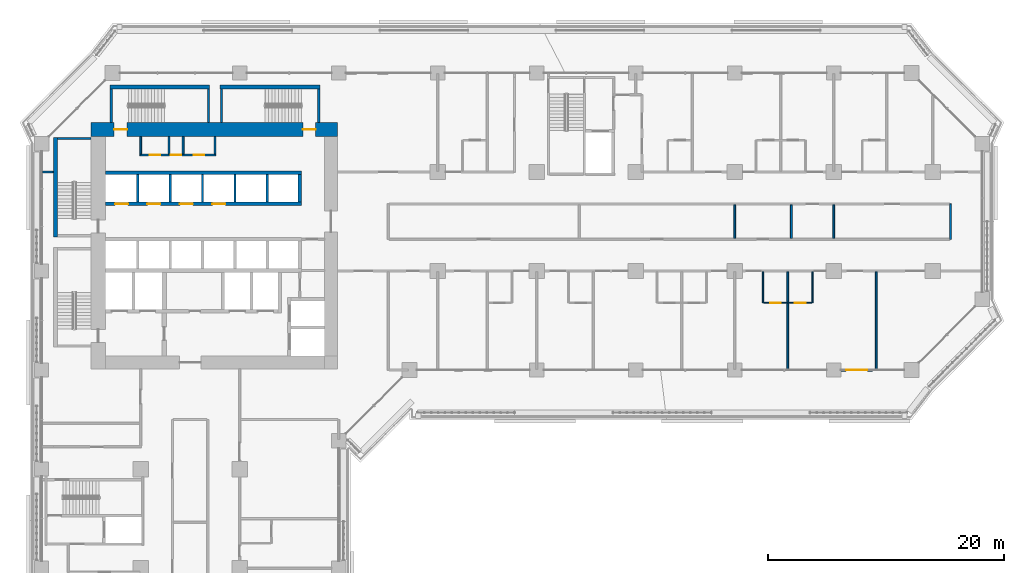
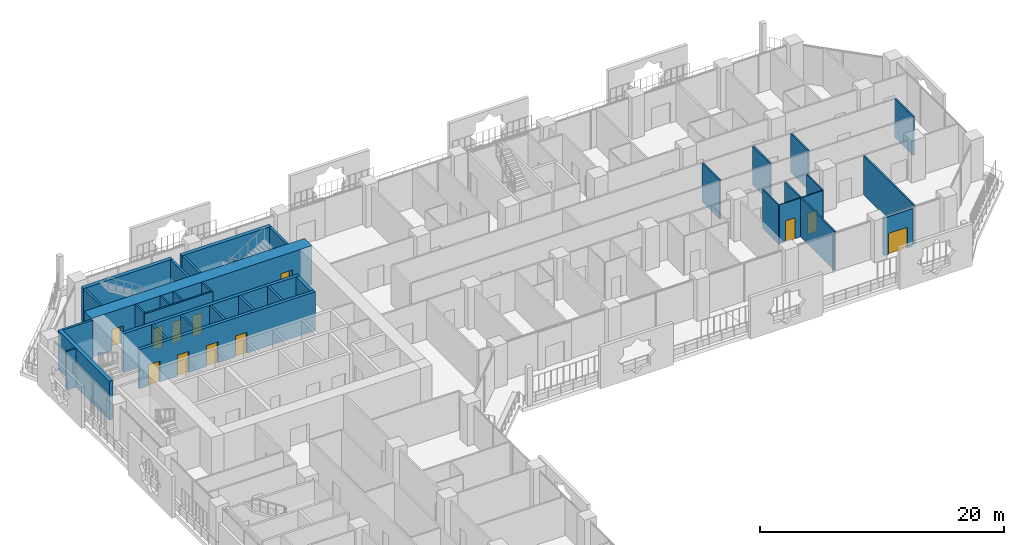
# One storey, part 17 of 28: 33 walls, 12 doors, 12 openings.
"""IFC4 building model written with IfcOpenShell, lengths in metres."""

from ifc_helpers import new_model, si_unit, direction, frame, frame_2d, origin, place, context, subcontext, project, spatial, rectangle, extrude, material, layer, layer_set, type_object, element, fill, save


model = new_model("IFC4")

# Units and contexts
model_context = context("Model", 3, precision=1e-05, world=origin(), true_north=direction((0.0, 1.0)))
body_context = subcontext(model_context, "Body", "Model", "MODEL_VIEW")
ifc_project = project(units=[si_unit("LENGTHUNIT", "METRE"), si_unit("AREAUNIT", "SQUARE_METRE"), si_unit("VOLUMEUNIT", "CUBIC_METRE"), si_unit("PLANEANGLEUNIT", "RADIAN"), si_unit("MASSUNIT", "GRAM", prefix="KILO")], contexts=[model_context])

# Site, building, storey
site_placement = place(None, origin())
site = spatial("IfcSite", under=ifc_project, at=site_placement, CompositionType="ELEMENT")
building_placement = place(site_placement, origin())
building = spatial("IfcBuilding", under=site, at=building_placement, Name="Kawkab Arch Medical Tower", CompositionType="ELEMENT")
storey_placement = place(building_placement, frame((0.0, 0.0, 77.0)))
storey = spatial("IfcBuildingStorey", under=building, at=storey_placement, Name="L17", CompositionType="ELEMENT", Elevation=77.0)

# Wall, openings, doors
ifc_material_1 = material(Name="Concrete C60/75", Category="concrete")
ifc_layer_1 = layer(ifc_material_1, 1.199951171875)
ifc_layer_set_1 = layer_set([ifc_layer_1], Name="Concrete C60/75")
wall_type_1 = type_object("IfcWallType", Name="Core ring wall 1200 C60/75", PredefinedType="SHEAR", material=ifc_layer_set_1)
wall_1_placement = place(storey_placement, frame((4.199951171875, -4.800048828125, 0.0), z_axis=(0.0, 0.0, 1.0), x_axis=(1.0, 0.0, 0.0)))
wall_1 = element("IfcWall", 1, at=wall_1_placement, inside=storey, type_object=wall_type_1, Name="L17 core wall", PredefinedType="SHEAR", context=body_context, shape_type="SweptSolid", body=[
    extrude(rectangle(XDim=20.900146484375, YDim=1.199951171875, at=frame_2d((10.4501953125, 0.0))), origin(), (0.0, 0.0, 1.0), 3.89990234375),
])
opening_1_placement = place(wall_1_placement, frame((1.949951171875, 0.0, 0.0)))
opening_1 = element("IfcOpeningElement", 2, at=opening_1_placement, cuts=wall_1, Name="Opening SD", PredefinedType="OPENING", context=body_context, shape_type="SweptSolid", body=[
    extrude(rectangle(XDim=1.10009765625, YDim=2.10009765625, at=frame_2d((0.550048828125, 1.050048828125))), frame((0.0, 0.60986328125, 0.0), z_axis=(0.0, -1.0, 0.0), x_axis=(1.0, 0.0, 0.0)), (0.0, 0.0, 1.0), 1.219970703125),
])
opening_2_placement = place(wall_1_placement, frame((17.949951171875, 0.0, 0.0)))
opening_2 = element("IfcOpeningElement", 3, at=opening_2_placement, cuts=wall_1, Name="Opening SD", PredefinedType="OPENING", context=body_context, shape_type="SweptSolid", body=[
    extrude(rectangle(XDim=1.10009765625, YDim=2.10009765625, at=frame_2d((0.550048828125, 1.050048828125))), frame((0.0, 0.60986328125, 0.0), z_axis=(0.0, -1.0, 0.0), x_axis=(1.0, 0.0, 0.0)), (0.0, 0.0, 1.0), 1.219970703125),
])
ifc_material_2 = material(Name="Hollow metal fire door leaf")
door_type_1 = type_object("IfcDoorType", Name="Exit stair door 1100", OperationType="SINGLE_SWING_LEFT", PredefinedType="DOOR", material=ifc_material_2)
door_1_placement = place(opening_1_placement, origin())
door_1 = element("IfcDoor", 4, at=door_1_placement, inside=storey, type_object=door_type_1, Name="L17 Exit stair ST3 door", OperationType="SINGLE_SWING_LEFT", OverallHeight=2.10009765625, OverallWidth=1.10009765625, PredefinedType="DOOR", context=body_context, shape_type="SweptSolid", body=[
    extrude(rectangle(XDim=1.10009765625, YDim=2.10009765625, at=frame_2d((0.550048828125, 1.050048828125))), frame((0.0, 0.02490234375, 0.0), z_axis=(0.0, -1.0, 0.0), x_axis=(1.0, 0.0, 0.0)), (0.0, 0.0, 1.0), 0.050048828125),
])
fill(opening_1, door_1)
door_2_placement = place(opening_2_placement, origin())
door_2 = element("IfcDoor", 5, at=door_2_placement, inside=storey, type_object=door_type_1, Name="L17 Exit stair ST4 door", OperationType="SINGLE_SWING_LEFT", OverallHeight=2.10009765625, OverallWidth=1.10009765625, PredefinedType="DOOR", context=body_context, shape_type="SweptSolid", body=[
    extrude(rectangle(XDim=1.10009765625, YDim=2.10009765625, at=frame_2d((0.550048828125, 1.050048828125))), frame((0.0, 0.02490234375, 0.0), z_axis=(0.0, -1.0, 0.0), x_axis=(1.0, 0.0, 0.0)), (0.0, 0.0, 1.0), 0.050048828125),
])
fill(opening_2, door_2)

ifc_material_3 = material(Name="Gypsum board on steel studs", Category="steel")
ifc_layer_2 = layer(ifc_material_3, 0.14990234375)
ifc_layer_set_2 = layer_set([ifc_layer_2], Name="Gypsum board on steel studs")
wall_type_2 = type_object("IfcWallType", Name="Core room partition 150", PredefinedType="PARTITIONING", material=ifc_layer_set_2)
wall_2_placement = place(storey_placement, frame((8.324951171875, -6.949951171875, 0.0), z_axis=(0.0, 0.0, 1.0), x_axis=(1.0, 0.0, 0.0)))
wall_2 = element("IfcWall", 6, at=wall_2_placement, inside=storey, type_object=wall_type_2, Name="L17 core room partition", PredefinedType="PARTITIONING", context=body_context, shape_type="SweptSolid", body=[
    extrude(rectangle(XDim=6.449951171875, YDim=0.14990234375, at=frame_2d((3.22509765625, 0.0))), origin(), (0.0, 0.0, 1.0), 3.89990234375),
])
opening_3_placement = place(wall_2_placement, frame((0.824951171875, 0.0, 0.0)))
opening_3 = element("IfcOpeningElement", 7, at=opening_3_placement, cuts=wall_2, Name="Opening RD", PredefinedType="OPENING", context=body_context, shape_type="SweptSolid", body=[
    extrude(rectangle(XDim=0.89990234375, YDim=2.10009765625, at=frame_2d((0.449951171875, 1.050048828125))), frame((0.0, 0.0849609375, 0.0), z_axis=(0.0, -1.0, 0.0), x_axis=(1.0, 0.0, 0.0)), (0.0, 0.0, 1.0), 0.169921875),
])
opening_4_placement = place(wall_2_placement, frame((2.625, 0.0, 0.0)))
opening_4 = element("IfcOpeningElement", 8, at=opening_4_placement, cuts=wall_2, Name="Opening RD", PredefinedType="OPENING", context=body_context, shape_type="SweptSolid", body=[
    extrude(rectangle(XDim=0.89990234375, YDim=2.10009765625, at=frame_2d((0.449951171875, 1.050048828125))), frame((0.0, 0.0849609375, 0.0), z_axis=(0.0, -1.0, 0.0), x_axis=(1.0, 0.0, 0.0)), (0.0, 0.0, 1.0), 0.169921875),
])
opening_5_placement = place(wall_2_placement, frame((4.574951171875, 0.0, 0.0)))
opening_5 = element("IfcOpeningElement", 9, at=opening_5_placement, cuts=wall_2, Name="Opening RD", PredefinedType="OPENING", context=body_context, shape_type="SweptSolid", body=[
    extrude(rectangle(XDim=0.89990234375, YDim=2.10009765625, at=frame_2d((0.449951171875, 1.050048828125))), frame((0.0, 0.0849609375, 0.0), z_axis=(0.0, -1.0, 0.0), x_axis=(1.0, 0.0, 0.0)), (0.0, 0.0, 1.0), 0.169921875),
])
ifc_material_4 = material(Name="Hollow metal fire door leaf")
door_type_2 = type_object("IfcDoorType", Name="Core room door 900", OperationType="SINGLE_SWING_LEFT", PredefinedType="DOOR", material=ifc_material_4)
door_3_placement = place(opening_3_placement, origin())
door_3 = element("IfcDoor", 10, at=door_3_placement, inside=storey, type_object=door_type_2, Name="L17 Housekeeping store door", OperationType="SINGLE_SWING_LEFT", OverallHeight=2.10009765625, OverallWidth=0.89990234375, PredefinedType="DOOR", context=body_context, shape_type="SweptSolid", body=[
    extrude(rectangle(XDim=0.89990234375, YDim=2.10009765625, at=frame_2d((0.449951171875, 1.050048828125))), frame((0.0, 0.02490234375, 0.0), z_axis=(0.0, -1.0, 0.0), x_axis=(1.0, 0.0, 0.0)), (0.0, 0.0, 1.0), 0.050048828125),
])
fill(opening_3, door_3)
door_4_placement = place(opening_4_placement, origin())
door_4 = element("IfcDoor", 11, at=door_4_placement, inside=storey, type_object=door_type_2, Name="L17 Electrical riser room door", OperationType="SINGLE_SWING_LEFT", OverallHeight=2.10009765625, OverallWidth=0.89990234375, PredefinedType="DOOR", context=body_context, shape_type="SweptSolid", body=[
    extrude(rectangle(XDim=0.89990234375, YDim=2.10009765625, at=frame_2d((0.449951171875, 1.050048828125))), frame((0.0, 0.02490234375, 0.0), z_axis=(0.0, -1.0, 0.0), x_axis=(1.0, 0.0, 0.0)), (0.0, 0.0, 1.0), 0.050048828125),
])
fill(opening_4, door_4)
door_5_placement = place(opening_5_placement, origin())
door_5 = element("IfcDoor", 12, at=door_5_placement, inside=storey, type_object=door_type_2, Name="L17 Equipment store door", OperationType="SINGLE_SWING_LEFT", OverallHeight=2.10009765625, OverallWidth=0.89990234375, PredefinedType="DOOR", context=body_context, shape_type="SweptSolid", body=[
    extrude(rectangle(XDim=0.89990234375, YDim=2.10009765625, at=frame_2d((0.449951171875, 1.050048828125))), frame((0.0, 0.02490234375, 0.0), z_axis=(0.0, -1.0, 0.0), x_axis=(1.0, 0.0, 0.0)), (0.0, 0.0, 1.0), 0.050048828125),
])
fill(opening_5, door_5)

# Walls
for number, where, z_axis, x_axis, name in (
    (13, (8.39990234375, -6.875, 0.0), (0.0, 0.0, 1.0), (0.0, 1.0, 0.0), "L17 core room partition"),
    (14, (10.800048828125, -6.875, 0.0), (0.0, 0.0, 1.0), (0.0, 1.0, 0.0), "L17 core room partition"),
    (15, (12.0, -6.875, 0.0), (0.0, 0.0, 1.0), (0.0, 1.0, 0.0), "L17 core room partition"),
    (16, (14.699951171875, -6.875, 0.0), (0.0, 0.0, 1.0), (0.0, 1.0, 0.0), "L17 core room partition"),
):
    element("IfcWall", number, at=place(storey_placement, frame(where, z_axis=z_axis, x_axis=x_axis)), inside=storey, type_object=wall_type_2, Name=name, PredefinedType="PARTITIONING", context=body_context, shape_type="SweptSolid", body=[
        extrude(rectangle(XDim=1.47509765625, YDim=0.14990234375, at=frame_2d((0.737548828125, 0.0))), origin(), (0.0, 0.0, 1.0), 3.89990234375),
    ])
ifc_material_5 = material(Name="Concrete C60/75", Category="concrete")
ifc_layer_3 = layer(ifc_material_5, 0.300048828125)
ifc_layer_set_3 = layer_set([ifc_layer_3], Name="Concrete C60/75")
wall_type_3 = type_object("IfcWallType", Name="Core shear wall 300 C60/75", PredefinedType="SHEAR", material=ifc_layer_set_3)
wall_3_placement = place(storey_placement, frame((5.39990234375, -8.449951171875, 0.0), z_axis=(0.0, 0.0, 1.0), x_axis=(1.0, 0.0, 0.0)))
element("IfcWall", 17, at=wall_3_placement, inside=storey, type_object=wall_type_3, Name="L17 core shear wall", PredefinedType="SHEAR", context=body_context, shape_type="SweptSolid", body=[
    extrude(rectangle(XDim=16.650146484375, YDim=0.300048828125, at=frame_2d((8.3251953125, 0.0))), origin(), (0.0, 0.0, 1.0), 3.89990234375),
])

# Wall, openings, doors
wall_4_placement = place(storey_placement, frame((5.39990234375, -11.10009765625, 0.0), z_axis=(0.0, 0.0, 1.0), x_axis=(1.0, 0.0, 0.0)))
wall_4 = element("IfcWall", 18, at=wall_4_placement, inside=storey, type_object=wall_type_3, Name="L17 core shear wall", PredefinedType="SHEAR", context=body_context, shape_type="SweptSolid", body=[
    extrude(rectangle(XDim=16.650146484375, YDim=0.300048828125, at=frame_2d((8.3251953125, 0.0))), origin(), (0.0, 0.0, 1.0), 3.89990234375),
])
opening_6_placement = place(wall_4_placement, frame((0.824951171875, 0.0, 0.0)))
opening_6 = element("IfcOpeningElement", 19, at=opening_6_placement, cuts=wall_4, Name="Opening LD1", PredefinedType="OPENING", context=body_context, shape_type="SweptSolid", body=[
    extrude(rectangle(XDim=1.10009765625, YDim=2.10009765625, at=frame_2d((0.550048828125, 1.050048828125))), frame((0.0, 0.159912109375, 0.0), z_axis=(0.0, -1.0, 0.0), x_axis=(1.0, 0.0, 0.0)), (0.0, 0.0, 1.0), 0.320068359375),
])
opening_7_placement = place(wall_4_placement, frame((3.574951171875, 0.0, 0.0)))
opening_7 = element("IfcOpeningElement", 20, at=opening_7_placement, cuts=wall_4, Name="Opening LD1", PredefinedType="OPENING", context=body_context, shape_type="SweptSolid", body=[
    extrude(rectangle(XDim=1.10009765625, YDim=2.10009765625, at=frame_2d((0.550048828125, 1.050048828125))), frame((0.0, 0.159912109375, 0.0), z_axis=(0.0, -1.0, 0.0), x_axis=(1.0, 0.0, 0.0)), (0.0, 0.0, 1.0), 0.320068359375),
])
opening_8_placement = place(wall_4_placement, frame((6.324951171875, 0.0, 0.0)))
opening_8 = element("IfcOpeningElement", 21, at=opening_8_placement, cuts=wall_4, Name="Opening LD1", PredefinedType="OPENING", context=body_context, shape_type="SweptSolid", body=[
    extrude(rectangle(XDim=1.10009765625, YDim=2.10009765625, at=frame_2d((0.550048828125, 1.050048828125))), frame((0.0, 0.159912109375, 0.0), z_axis=(0.0, -1.0, 0.0), x_axis=(1.0, 0.0, 0.0)), (0.0, 0.0, 1.0), 0.320068359375),
])
opening_9_placement = place(wall_4_placement, frame((9.074951171875, 0.0, 0.0)))
opening_9 = element("IfcOpeningElement", 22, at=opening_9_placement, cuts=wall_4, Name="Opening LD1", PredefinedType="OPENING", context=body_context, shape_type="SweptSolid", body=[
    extrude(rectangle(XDim=1.10009765625, YDim=2.10009765625, at=frame_2d((0.550048828125, 1.050048828125))), frame((0.0, 0.159912109375, 0.0), z_axis=(0.0, -1.0, 0.0), x_axis=(1.0, 0.0, 0.0)), (0.0, 0.0, 1.0), 0.320068359375),
])
ifc_material_6 = material(Name="Stainless steel lift door leaf", Category="steel")
door_type_3 = type_object("IfcDoorType", Name="Lift landing door 1100", OperationType="DOUBLE_DOOR_SLIDING", PredefinedType="DOOR", material=ifc_material_6)
door_6_placement = place(opening_6_placement, origin())
door_6 = element("IfcDoor", 23, at=door_6_placement, inside=storey, type_object=door_type_3, Name="L17 Lift landing door LP1", OperationType="DOUBLE_DOOR_SLIDING", OverallHeight=2.10009765625, OverallWidth=1.10009765625, PredefinedType="DOOR", context=body_context, shape_type="SweptSolid", body=[
    extrude(rectangle(XDim=1.10009765625, YDim=2.10009765625, at=frame_2d((0.550048828125, 1.050048828125))), frame((0.0, 0.02490234375, 0.0), z_axis=(0.0, -1.0, 0.0), x_axis=(1.0, 0.0, 0.0)), (0.0, 0.0, 1.0), 0.050048828125),
])
fill(opening_6, door_6)
door_7_placement = place(opening_7_placement, origin())
door_7 = element("IfcDoor", 24, at=door_7_placement, inside=storey, type_object=door_type_3, Name="L17 Lift landing door LP2", OperationType="DOUBLE_DOOR_SLIDING", OverallHeight=2.10009765625, OverallWidth=1.10009765625, PredefinedType="DOOR", context=body_context, shape_type="SweptSolid", body=[
    extrude(rectangle(XDim=1.10009765625, YDim=2.10009765625, at=frame_2d((0.550048828125, 1.050048828125))), frame((0.0, 0.02490234375, 0.0), z_axis=(0.0, -1.0, 0.0), x_axis=(1.0, 0.0, 0.0)), (0.0, 0.0, 1.0), 0.050048828125),
])
fill(opening_7, door_7)
door_8_placement = place(opening_8_placement, origin())
door_8 = element("IfcDoor", 25, at=door_8_placement, inside=storey, type_object=door_type_3, Name="L17 Lift landing door LP3", OperationType="DOUBLE_DOOR_SLIDING", OverallHeight=2.10009765625, OverallWidth=1.10009765625, PredefinedType="DOOR", context=body_context, shape_type="SweptSolid", body=[
    extrude(rectangle(XDim=1.10009765625, YDim=2.10009765625, at=frame_2d((0.550048828125, 1.050048828125))), frame((0.0, 0.02490234375, 0.0), z_axis=(0.0, -1.0, 0.0), x_axis=(1.0, 0.0, 0.0)), (0.0, 0.0, 1.0), 0.050048828125),
])
fill(opening_8, door_8)
door_9_placement = place(opening_9_placement, origin())
door_9 = element("IfcDoor", 26, at=door_9_placement, inside=storey, type_object=door_type_3, Name="L17 Lift landing door LP4", OperationType="DOUBLE_DOOR_SLIDING", OverallHeight=2.10009765625, OverallWidth=1.10009765625, PredefinedType="DOOR", context=body_context, shape_type="SweptSolid", body=[
    extrude(rectangle(XDim=1.10009765625, YDim=2.10009765625, at=frame_2d((0.550048828125, 1.050048828125))), frame((0.0, 0.02490234375, 0.0), z_axis=(0.0, -1.0, 0.0), x_axis=(1.0, 0.0, 0.0)), (0.0, 0.0, 1.0), 0.050048828125),
])
fill(opening_9, door_9)

# Wall
wall_5_placement = place(storey_placement, frame((21.89990234375, -10.949951171875, 0.0), z_axis=(0.0, 0.0, 1.0), x_axis=(0.0, 1.0, 0.0)))
element("IfcWall", 27, at=wall_5_placement, inside=storey, type_object=wall_type_3, Name="L17 core shear wall", PredefinedType="SHEAR", context=body_context, shape_type="SweptSolid", body=[
    extrude(rectangle(XDim=2.349853515625, YDim=0.300048828125, at=frame_2d((1.1748046875, 0.0))), origin(), (0.0, 0.0, 1.0), 3.89990234375),
])

# Wall, opening, door
ifc_material_7 = material(Name="Bronze clad insulated wall panel")
ifc_layer_4 = layer(ifc_material_7, 0.25)
ifc_layer_set_4 = layer_set([ifc_layer_4], Name="Bronze clad insulated wall panel")
wall_type_4 = type_object("IfcWallType", Name="External wall bay 250", PredefinedType="SOLIDWALL", material=ifc_layer_set_4)
wall_6_placement = place(storey_placement, frame((67.800048828125, -25.199951171875, 0.0), z_axis=(0.0, 0.0, 1.0), x_axis=(1.0, 0.0, 0.0)))
wall_6 = element("IfcWall", 28, at=wall_6_placement, inside=storey, type_object=wall_type_4, Name="External wall bay L17.R07.5.1", PredefinedType="SOLIDWALL", context=body_context, shape_type="SweptSolid", body=[
    extrude(rectangle(XDim=2.6875, YDim=0.25, at=frame_2d((1.34375, 0.0))), origin(), (0.0, 0.0, 1.0), 3.780029296875),
])
opening_10_placement = place(wall_6_placement, frame((0.443603515625, 0.0, 0.0)))
opening_10 = element("IfcOpeningElement", 29, at=opening_10_placement, cuts=wall_6, Name="Opening W12-702", PredefinedType="OPENING", context=body_context, shape_type="SweptSolid", body=[
    extrude(rectangle(XDim=1.800048828125, YDim=2.10009765625, at=frame_2d((0.89990234375, 1.050048828125))), frame((0.0, 0.135009765625, 0.0), z_axis=(0.0, -1.0, 0.0), x_axis=(1.0, 0.0, 0.0)), (0.0, 0.0, 1.0), 0.27001953125),
])
ifc_material_8 = material(Name="Bronze anodised aluminium door with tinted glass", Category="aluminium")
door_type_4 = type_object("IfcDoorType", Name="Double external door 1800 x 2100", OperationType="DOUBLE_DOOR_SINGLE_SWING", PredefinedType="DOOR", material=ifc_material_8)
door_10_placement = place(opening_10_placement, origin())
door_10 = element("IfcDoor", 30, at=door_10_placement, inside=storey, type_object=door_type_4, Name="External door L17.R07.5.1", OperationType="DOUBLE_DOOR_SINGLE_SWING", OverallHeight=2.10009765625, OverallWidth=1.800048828125, PredefinedType="DOOR", context=body_context, shape_type="SweptSolid", body=[
    extrude(rectangle(XDim=1.800048828125, YDim=2.10009765625, at=frame_2d((0.89990234375, 1.050048828125))), frame((0.0, 0.02490234375, 0.0), z_axis=(0.0, -1.0, 0.0), x_axis=(1.0, 0.0, 0.0)), (0.0, 0.0, 1.0), 0.050048828125),
])
fill(opening_10, door_10)

# Walls
ifc_material_9 = material(Name="Dense concrete blockwork", Category="masonry")
ifc_layer_5 = layer(ifc_material_9, 0.199951171875)
ifc_layer_set_5 = layer_set([ifc_layer_5], Name="Dense concrete blockwork")
wall_type_5 = type_object("IfcWallType", Name="Lift shaft partition 200", PredefinedType="PARTITIONING", material=ifc_layer_set_5)
for number, where, z_axis, x_axis, name in (
    (31, (8.14990234375, -10.949951171875, 0.0), (0.0, 0.0, 1.0), (0.0, 1.0, 0.0), "L17 lift shaft partition"),
    (32, (10.89990234375, -10.949951171875, 0.0), (0.0, 0.0, 1.0), (0.0, 1.0, 0.0), "L17 lift shaft partition"),
    (33, (13.64990234375, -10.949951171875, 0.0), (0.0, 0.0, 1.0), (0.0, 1.0, 0.0), "L17 lift shaft partition"),
    (34, (16.39990234375, -10.949951171875, 0.0), (0.0, 0.0, 1.0), (0.0, 1.0, 0.0), "L17 lift shaft partition"),
    (35, (19.14990234375, -10.949951171875, 0.0), (0.0, 0.0, 1.0), (0.0, 1.0, 0.0), "L17 lift shaft partition"),
):
    element("IfcWall", number, at=place(storey_placement, frame(where, z_axis=z_axis, x_axis=x_axis)), inside=storey, type_object=wall_type_5, Name=name, PredefinedType="PARTITIONING", context=body_context, shape_type="SweptSolid", body=[
        extrude(rectangle(XDim=2.349853515625, YDim=0.199951171875, at=frame_2d((1.1748046875, 0.0))), origin(), (0.0, 0.0, 1.0), 3.89990234375),
    ])

# Wall, openings, doors
ifc_material_10 = material(Name="Gypsum board partition on steel studs", Category="steel")
ifc_layer_6 = layer(ifc_material_10, 0.10009765625)
ifc_layer_set_6 = layer_set([ifc_layer_6], Name="Gypsum board partition on steel studs")
wall_type_6 = type_object("IfcWallType", Name="Partition 100", PredefinedType="PARTITIONING", material=ifc_layer_set_6)
wall_7_placement = place(storey_placement, frame((61.25, -19.5, 0.0), z_axis=(0.0, 0.0, 1.0), x_axis=(1.0, 0.0, 0.0)))
wall_7 = element("IfcWall", 36, at=wall_7_placement, inside=storey, type_object=wall_type_6, Name="Partition 100 w014", PredefinedType="PARTITIONING", context=body_context, shape_type="SweptSolid", body=[
    extrude(rectangle(XDim=4.097900390625, YDim=0.10009765625, at=frame_2d((2.048828125, 0.0))), origin(), (0.0, 0.0, 1.0), 3.89990234375),
])
opening_11_placement = place(wall_7_placement, frame((0.550048828125, 0.0, 0.0)))
opening_11 = element("IfcOpeningElement", 37, at=opening_11_placement, cuts=wall_7, Name="Opening W12-015", PredefinedType="OPENING", context=body_context, shape_type="SweptSolid", body=[
    extrude(rectangle(XDim=0.89990234375, YDim=2.10009765625, at=frame_2d((0.449951171875, 1.050048828125))), frame((0.0, 0.06005859375, 0.0), z_axis=(0.0, -1.0, 0.0), x_axis=(1.0, 0.0, 0.0)), (0.0, 0.0, 1.0), 0.1201171875),
])
opening_12_placement = place(wall_7_placement, frame((2.64892578125, 0.0, 0.0)))
opening_12 = element("IfcOpeningElement", 38, at=opening_12_placement, cuts=wall_7, Name="Opening W12-016", PredefinedType="OPENING", context=body_context, shape_type="SweptSolid", body=[
    extrude(rectangle(XDim=0.89990234375, YDim=2.10009765625, at=frame_2d((0.449951171875, 1.050048828125))), frame((0.0, 0.06005859375, 0.0), z_axis=(0.0, -1.0, 0.0), x_axis=(1.0, 0.0, 0.0)), (0.0, 0.0, 1.0), 0.1201171875),
])
ifc_material_11 = material(Name="Timber door leaf", Category="wood")
door_type_5 = type_object("IfcDoorType", Name="Single door 900x2100", OperationType="NOTDEFINED", PredefinedType="DOOR", material=ifc_material_11)
door_11_placement = place(opening_11_placement, origin())
door_11 = element("IfcDoor", 39, at=door_11_placement, inside=storey, type_object=door_type_5, Name="Door W12-015", OperationType="SINGLE_SWING_RIGHT", OverallHeight=2.10009765625, OverallWidth=0.89990234375, PredefinedType="DOOR", context=body_context, shape_type="SweptSolid", body=[
    extrude(rectangle(XDim=0.89990234375, YDim=2.10009765625, at=frame_2d((0.449951171875, 1.050048828125))), frame((0.0, 0.02490234375, 0.0), z_axis=(0.0, -1.0, 0.0), x_axis=(1.0, 0.0, 0.0)), (0.0, 0.0, 1.0), 0.050048828125),
])
fill(opening_11, door_11)
door_12_placement = place(opening_12_placement, origin())
door_12 = element("IfcDoor", 40, at=door_12_placement, inside=storey, type_object=door_type_5, Name="Door W12-016", OperationType="SINGLE_SWING_LEFT", OverallHeight=2.10009765625, OverallWidth=0.89990234375, PredefinedType="DOOR", context=body_context, shape_type="SweptSolid", body=[
    extrude(rectangle(XDim=0.89990234375, YDim=2.10009765625, at=frame_2d((0.449951171875, 1.050048828125))), frame((0.0, 0.02490234375, 0.0), z_axis=(0.0, -1.0, 0.0), x_axis=(1.0, 0.0, 0.0)), (0.0, 0.0, 1.0), 0.050048828125),
])
fill(opening_12, door_12)

# Walls
wall_8_placement = place(storey_placement, frame((61.199951171875, -19.5, 0.0), z_axis=(0.0, 0.0, 1.0), x_axis=(0.0, 1.0, 0.0)))
element("IfcWall", 41, at=wall_8_placement, inside=storey, type_object=wall_type_6, Name="Partition 100 w034", PredefinedType="PARTITIONING", context=body_context, shape_type="SweptSolid", body=[
    extrude(rectangle(XDim=2.625, YDim=0.10009765625, at=frame_2d((1.3125, 0.0))), origin(), (0.0, 0.0, 1.0), 3.89990234375),
])
wall_9_placement = place(storey_placement, frame((65.39990234375, -19.4990234375, 0.0), z_axis=(0.0, 0.0, 1.0), x_axis=(0.0, 1.0, 0.0)))
element("IfcWall", 42, at=wall_9_placement, inside=storey, type_object=wall_type_6, Name="Partition 100 w036", PredefinedType="PARTITIONING", context=body_context, shape_type="SweptSolid", body=[
    extrude(rectangle(XDim=2.6240234375, YDim=0.10009765625, at=frame_2d((1.31201171875, 0.0))), origin(), (0.0, 0.0, 1.0), 3.89990234375),
])
ifc_material_12 = material(Name="Gypsum board partition on steel studs, mineral wool", Category="steel")
ifc_layer_7 = layer(ifc_material_12, 0.14990234375)
ifc_layer_set_7 = layer_set([ifc_layer_7], Name="Gypsum board partition on steel studs, mineral wool")
wall_type_7 = type_object("IfcWallType", Name="Partition 150", PredefinedType="PARTITIONING", material=ifc_layer_set_7)
wall_10_placement = place(storey_placement, frame((0.080078125, -8.39990234375, 0.0), z_axis=(0.0, 0.0, 1.0), x_axis=(1.0, 0.0, 0.0)))
element("IfcWall", 43, at=wall_10_placement, inside=storey, type_object=wall_type_7, Name="Partition 150 w065", PredefinedType="PARTITIONING", context=body_context, shape_type="SweptSolid", body=[
    extrude(rectangle(XDim=0.889892578125, YDim=0.14990234375, at=frame_2d((0.44482421875, 0.0))), origin(), (0.0, 0.0, 1.0), 3.89990234375),
])
wall_11_placement = place(storey_placement, frame((58.800048828125, -14.02490234375, 0.0), z_axis=(0.0, 0.0, 1.0), x_axis=(0.0, 1.0, 0.0)))
element("IfcWall", 44, at=wall_11_placement, inside=storey, type_object=wall_type_7, Name="Partition 150 w097", PredefinedType="PARTITIONING", context=body_context, shape_type="SweptSolid", body=[
    extrude(rectangle(XDim=2.849853515625, YDim=0.14990234375, at=frame_2d((1.4248046875, 0.0))), origin(), (0.0, 0.0, 1.0), 3.89990234375),
])
wall_12_placement = place(storey_placement, frame((63.300048828125, -25.1201171875, 0.0), z_axis=(0.0, 0.0, 1.0), x_axis=(0.0, 1.0, 0.0)))
element("IfcWall", 45, at=wall_12_placement, inside=storey, type_object=wall_type_7, Name="Partition 150 w099", PredefinedType="PARTITIONING", context=body_context, shape_type="SweptSolid", body=[
    extrude(rectangle(XDim=8.2451171875, YDim=0.14990234375, at=frame_2d((4.12255859375, 0.0))), origin(), (0.0, 0.0, 1.0), 3.89990234375),
])
for number, where, z_axis, x_axis, name in (
    (46, (63.60009765625, -14.02490234375, 0.0), (0.0, 0.0, 1.0), (0.0, 1.0, 0.0), "Partition 150 w100"),
    (47, (67.199951171875, -14.02490234375, 0.0), (0.0, 0.0, 1.0), (0.0, 1.0, 0.0), "Partition 150 w101"),
):
    element("IfcWall", number, at=place(storey_placement, frame(where, z_axis=z_axis, x_axis=x_axis)), inside=storey, type_object=wall_type_7, Name=name, PredefinedType="PARTITIONING", context=body_context, shape_type="SweptSolid", body=[
        extrude(rectangle(XDim=2.849853515625, YDim=0.14990234375, at=frame_2d((1.4248046875, 0.0))), origin(), (0.0, 0.0, 1.0), 3.89990234375),
    ])
wall_13_placement = place(storey_placement, frame((70.800048828125, -25.1201171875, 0.0), z_axis=(0.0, 0.0, 1.0), x_axis=(0.0, 1.0, 0.0)))
element("IfcWall", 48, at=wall_13_placement, inside=storey, type_object=wall_type_7, Name="Partition 150 w103", PredefinedType="PARTITIONING", context=body_context, shape_type="SweptSolid", body=[
    extrude(rectangle(XDim=8.2451171875, YDim=0.14990234375, at=frame_2d((4.12255859375, 0.0))), origin(), (0.0, 0.0, 1.0), 3.89990234375),
])
wall_14_placement = place(storey_placement, frame((77.10009765625, -14.10009765625, 0.0), z_axis=(0.0, 0.0, 1.0), x_axis=(0.0, 1.0, 0.0)))
element("IfcWall", 49, at=wall_14_placement, inside=storey, type_object=wall_type_7, Name="Partition 150 w106", PredefinedType="PARTITIONING", context=body_context, shape_type="SweptSolid", body=[
    extrude(rectangle(XDim=3.0, YDim=0.14990234375, at=frame_2d((1.5, 0.0))), origin(), (0.0, 0.0, 1.0), 3.89990234375),
])
ifc_material_13 = material(Name="Concrete C50/60", Category="concrete")
ifc_layer_8 = layer(ifc_material_13, 0.199951171875)
ifc_layer_set_8 = layer_set([ifc_layer_8], Name="Concrete C50/60")
wall_type_8 = type_object("IfcWallType", Name="Stair enclosure wall 200 C50/60", PredefinedType="SHEAR", material=ifc_layer_set_8)
for number, where, z_axis, x_axis, name in (
    (50, (1.35009765625, -5.550048828125, 0.0), (0.0, 0.0, 1.0), (1.0, 0.0, 0.0), "L17 stair enclosure wall"),
    (51, (5.89990234375, -4.199951171875, 0.0), (0.0, 0.0, 1.0), (0.0, 1.0, 0.0), "L17 stair enclosure wall"),
    (52, (14.14990234375, -4.199951171875, 0.0), (0.0, 0.0, 1.0), (0.0, 1.0, 0.0), "L17 stair enclosure wall"),
    (53, (15.25, -4.199951171875, 0.0), (0.0, 0.0, 1.0), (0.0, 1.0, 0.0), "L17 stair enclosure wall"),
    (54, (23.5, -4.199951171875, 0.0), (0.0, 0.0, 1.0), (0.0, 1.0, 0.0), "L17 stair enclosure wall"),
):
    element("IfcWall", number, at=place(storey_placement, frame(where, z_axis=z_axis, x_axis=x_axis)), inside=storey, type_object=wall_type_8, Name=name, PredefinedType="SHEAR", context=body_context, shape_type="SweptSolid", body=[
        extrude(rectangle(XDim=2.849853515625, YDim=0.199951171875, at=frame_2d((1.4248046875, 0.0))), origin(), (0.0, 0.0, 1.0), 3.89990234375),
    ])
ifc_material_14 = material(Name="Concrete C50/60", Category="concrete")
ifc_layer_9 = layer(ifc_material_14, 0.35009765625)
ifc_layer_set_9 = layer_set([ifc_layer_9], Name="Concrete C50/60")
wall_type_9 = type_object("IfcWallType", Name="Stair enclosure wall 350 C50/60", PredefinedType="SHEAR", material=ifc_layer_set_9)
for number, where, z_axis, x_axis, name in (
    (55, (1.175048828125, -13.89990234375, 0.0), (0.0, 0.0, 1.0), (0.0, 1.0, 0.0), "L17 stair enclosure wall"),
    (56, (5.800048828125, -1.175048828125, 0.0), (0.0, 0.0, 1.0), (1.0, 0.0, 0.0), "L17 stair enclosure wall"),
):
    element("IfcWall", number, at=place(storey_placement, frame(where, z_axis=z_axis, x_axis=x_axis)), inside=storey, type_object=wall_type_9, Name=name, PredefinedType="SHEAR", context=body_context, shape_type="SweptSolid", body=[
        extrude(rectangle(XDim=8.449951171875, YDim=0.35009765625, at=frame_2d((4.22509765625, 0.0))), origin(), (0.0, 0.0, 1.0), 3.89990234375),
    ])
wall_15_placement = place(storey_placement, frame((15.14990234375, -1.175048828125, 0.0), z_axis=(0.0, 0.0, 1.0), x_axis=(1.0, 0.0, 0.0)))
element("IfcWall", 57, at=wall_15_placement, inside=storey, type_object=wall_type_9, Name="L17 stair enclosure wall", PredefinedType="SHEAR", context=body_context, shape_type="SweptSolid", body=[
    extrude(rectangle(XDim=8.4501953125, YDim=0.35009765625, at=frame_2d((4.22509765625, 0.0))), origin(), (0.0, 0.0, 1.0), 3.89990234375),
])

save(model, "model.ifc")
